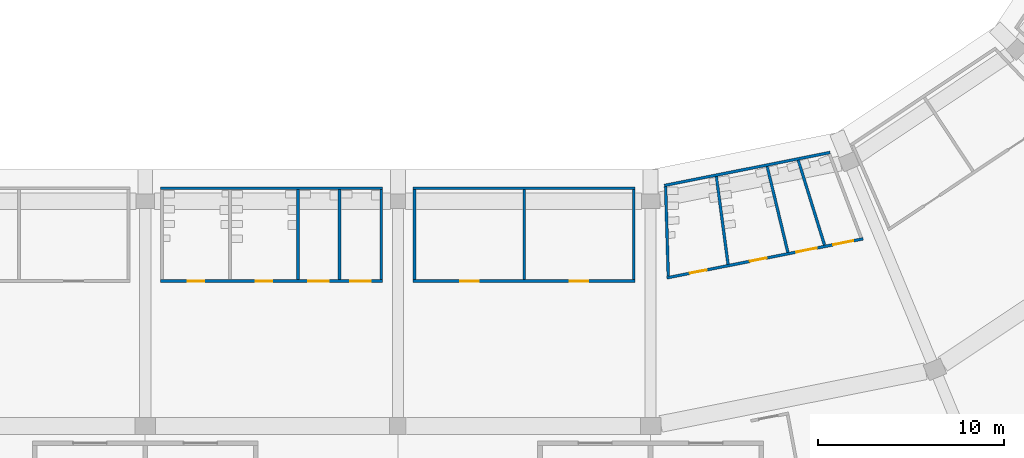
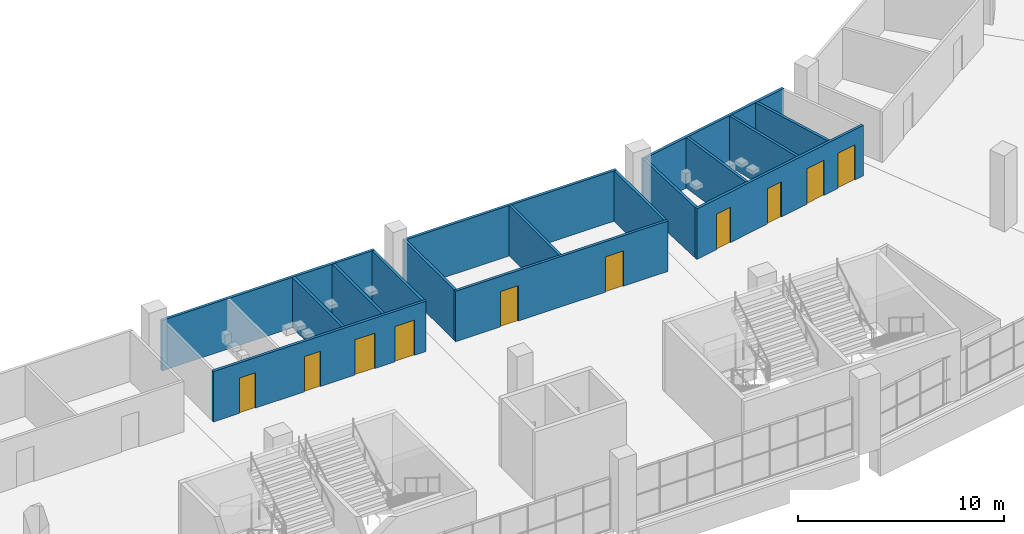
# One storey, part 78 of 199: 16 walls, 10 doors, 10 openings.
"""IFC4 building model written with IfcOpenShell, lengths in metres."""

from ifc_helpers import new_model, si_unit, direction, frame, frame_2d, origin, place, context, subcontext, project, spatial, rectangle, extrude, material, layer, layer_set, type_object, element, fill, save


model = new_model("IFC4")

# Units and contexts
model_context = context("Model", 3, precision=1e-05, world=origin(), true_north=direction((0.0, 1.0)))
body_context = subcontext(model_context, "Body", "Model", "MODEL_VIEW")
ifc_project = project(units=[si_unit("LENGTHUNIT", "METRE"), si_unit("AREAUNIT", "SQUARE_METRE"), si_unit("VOLUMEUNIT", "CUBIC_METRE"), si_unit("PLANEANGLEUNIT", "RADIAN"), si_unit("MASSUNIT", "GRAM", prefix="KILO")], contexts=[model_context])

# Site, building, storey
site_placement = place(None, origin())
site = spatial("IfcSite", under=ifc_project, at=site_placement, CompositionType="ELEMENT")
building_placement = place(site_placement, origin())
building = spatial("IfcBuilding", under=site, at=building_placement, Name="Ogive Plaza Stadium", CompositionType="ELEMENT")
storey_placement = place(building_placement, frame((0.0, 0.0, 4.5)))
storey = spatial("IfcBuildingStorey", under=building, at=storey_placement, Name="L01", CompositionType="ELEMENT", Elevation=4.5)

# Wall
ifc_material_1 = material(Name="Masonry blockwork", Category="masonry")
ifc_layer_1 = layer(ifc_material_1, 0.14990234375)
ifc_layer_set_1 = layer_set([ifc_layer_1], Name="Blockwork wall 150")
wall_type_1 = type_object("IfcWallType", Name="Blockwork wall 150", PredefinedType="SOLIDWALL", material=ifc_layer_set_1)
wall_1_placement = place(storey_placement, frame((33.175048828125, -79.699951171875, 0.0), z_axis=(0.0, 0.0, 1.0), x_axis=(-1.0, 0.0, 0.0)))
element("IfcWall", 1, at=wall_1_placement, inside=storey, type_object=wall_type_1, Name="Wall L01 B12", PredefinedType="SOLIDWALL", context=body_context, shape_type="SweptSolid", body=[
    extrude(rectangle(XDim=11.949951171875, YDim=0.14990234375, at=frame_2d((5.97509765625, 0.0))), origin(), (0.0, 0.0, 1.0), 3.0),
])

# Wall, openings, doors
wall_2_placement = place(storey_placement, frame((33.175048828125, -84.699951171875, 0.0), z_axis=(0.0, 0.0, 1.0), x_axis=(-1.0, 0.0, 0.0)))
wall_2 = element("IfcWall", 2, at=wall_2_placement, inside=storey, type_object=wall_type_1, Name="Wall L01 B12", PredefinedType="SOLIDWALL", context=body_context, shape_type="SweptSolid", body=[
    extrude(rectangle(XDim=11.949951171875, YDim=0.14990234375, at=frame_2d((5.97509765625, 0.0))), origin(), (0.0, 0.0, 1.0), 3.0),
])
opening_1_placement = place(wall_2_placement, frame((2.52490234375, 0.0, 0.0)))
opening_1 = element("IfcOpeningElement", 3, at=opening_1_placement, cuts=wall_2, Name="Opening D0507", PredefinedType="OPENING", context=body_context, shape_type="SweptSolid", body=[
    extrude(rectangle(XDim=1.0, YDim=2.10009765625, at=frame_2d((0.5, 1.050048828125))), frame((0.0, 0.074951171875, 0.0), z_axis=(0.0, -1.0, 0.0), x_axis=(1.0, 0.0, 0.0)), (0.0, 0.0, 1.0), 0.14990234375),
])
opening_2_placement = place(wall_2_placement, frame((8.425048828125, 0.0, 0.0)))
opening_2 = element("IfcOpeningElement", 4, at=opening_2_placement, cuts=wall_2, Name="Opening D0508", PredefinedType="OPENING", context=body_context, shape_type="SweptSolid", body=[
    extrude(rectangle(XDim=1.0, YDim=2.10009765625, at=frame_2d((0.5, 1.050048828125))), frame((0.0, 0.074951171875, 0.0), z_axis=(0.0, -1.0, 0.0), x_axis=(1.0, 0.0, 0.0)), (0.0, 0.0, 1.0), 0.14990234375),
])
ifc_material_2 = material(Name="Steel ASTM A572 Grade 50", Category="steel")
door_type_1 = type_object("IfcDoorType", Name="Door 1000 x 2100", OperationType="SINGLE_SWING_LEFT", PredefinedType="DOOR", material=ifc_material_2)
door_1_placement = place(opening_1_placement, origin())
door_1 = element("IfcDoor", 5, at=door_1_placement, inside=storey, type_object=door_type_1, Name="Club Bar B12 door", OperationType="SINGLE_SWING_RIGHT", OverallHeight=2.10009765625, OverallWidth=1.0, PredefinedType="DOOR", context=body_context, shape_type="SweptSolid", body=[
    extrude(rectangle(XDim=1.0, YDim=2.10009765625, at=frame_2d((0.5, 1.050048828125))), frame((0.0, 0.02490234375, 0.0), z_axis=(0.0, -1.0, 0.0), x_axis=(1.0, 0.0, 0.0)), (0.0, 0.0, 1.0), 0.050048828125),
])
fill(opening_1, door_1)
ifc_material_3 = material(Name="Steel ASTM A572 Grade 50", Category="steel")
door_type_2 = type_object("IfcDoorType", Name="Fire door FD60 1000 x 2100", OperationType="SINGLE_SWING_LEFT", PredefinedType="DOOR", material=ifc_material_3)
door_2_placement = place(opening_2_placement, origin())
door_2 = element("IfcDoor", 6, at=door_2_placement, inside=storey, type_object=door_type_2, Name="Club Kitchen B12 door", OperationType="SINGLE_SWING_LEFT", OverallHeight=2.10009765625, OverallWidth=1.0, PredefinedType="DOOR", context=body_context, shape_type="SweptSolid", body=[
    extrude(rectangle(XDim=1.0, YDim=2.10009765625, at=frame_2d((0.5, 1.050048828125))), frame((0.0, 0.02490234375, 0.0), z_axis=(0.0, -1.0, 0.0), x_axis=(1.0, 0.0, 0.0)), (0.0, 0.0, 1.0), 0.050048828125),
])
fill(opening_2, door_2)

# Walls
for number, where, z_axis, x_axis, name in (
    (7, (33.10009765625, -79.77490234375, 0.0), (0.0, 0.0, 1.0), (0.0, -1.0, 0.0), "Wall L01 B12"),
    (8, (27.199951171875, -79.77490234375, 0.0), (0.0, 0.0, 1.0), (0.0, -1.0, 0.0), "Wall L01 B12"),
    (9, (21.300048828125, -79.77490234375, 0.0), (0.0, 0.0, 1.0), (0.0, -1.0, 0.0), "Wall L01 B12"),
):
    element("IfcWall", number, at=place(storey_placement, frame(where, z_axis=z_axis, x_axis=x_axis)), inside=storey, type_object=wall_type_1, Name=name, PredefinedType="SOLIDWALL", context=body_context, shape_type="SweptSolid", body=[
        extrude(rectangle(XDim=4.85009765625, YDim=0.14990234375, at=frame_2d((2.425048828125, 0.0))), origin(), (0.0, 0.0, 1.0), 3.0),
    ])
ifc_material_4 = material(Name="Gypsum board partition", Category="gypsum")
ifc_layer_2 = layer(ifc_material_4, 0.14990234375)
ifc_layer_set_2 = layer_set([ifc_layer_2], Name="Partition 150")
wall_type_2 = type_object("IfcWallType", Name="Partition 150", PredefinedType="PARTITIONING", material=ifc_layer_set_2)
wall_3_placement = place(storey_placement, frame((34.740966796875, -79.552490234375, 0.0), z_axis=(0.0, 0.0, 1.0), x_axis=(0.980786464492, 0.195084369103, 0.0)))
element("IfcWall", 10, at=wall_3_placement, inside=storey, type_object=wall_type_2, Name="Wall L01 B11", PredefinedType="PARTITIONING", context=body_context, shape_type="SweptSolid", body=[
    extrude(rectangle(XDim=9.101806640625, YDim=0.14990234375, at=frame_2d((4.55078125, 0.0))), origin(), (0.0, 0.0, 1.0), 3.0),
])

# Wall, openings, doors
wall_4_placement = place(storey_placement, frame((34.877197265625, -84.525390625, 0.0), z_axis=(0.0, 0.0, 1.0), x_axis=(0.98078580384, 0.195087690502, 0.0)))
wall_4 = element("IfcWall", 11, at=wall_4_placement, inside=storey, type_object=wall_type_2, Name="Wall L01 B11", PredefinedType="PARTITIONING", context=body_context, shape_type="SweptSolid", body=[
    extrude(rectangle(XDim=10.77490234375, YDim=0.14990234375, at=frame_2d((5.387451171875, 0.0))), origin(), (0.0, 0.0, 1.0), 3.0),
])
opening_3_placement = place(wall_4_placement, frame((1.276123046875, 0.0, 0.0)))
opening_3 = element("IfcOpeningElement", 12, at=opening_3_placement, cuts=wall_4, Name="Opening D0502", PredefinedType="OPENING", context=body_context, shape_type="SweptSolid", body=[
    extrude(rectangle(XDim=0.89990234375, YDim=2.10009765625, at=frame_2d((0.449951171875, 1.050048828125))), frame((0.0, 0.074951171875, 0.0), z_axis=(0.0, -1.0, 0.0), x_axis=(1.0, 0.0, 0.0)), (0.0, 0.0, 1.0), 0.14990234375),
])
opening_4_placement = place(wall_4_placement, frame((4.56591796875, 0.0, 0.0)))
opening_4 = element("IfcOpeningElement", 13, at=opening_4_placement, cuts=wall_4, Name="Opening D0503", PredefinedType="OPENING", context=body_context, shape_type="SweptSolid", body=[
    extrude(rectangle(XDim=0.89990234375, YDim=2.10009765625, at=frame_2d((0.449951171875, 1.050048828125))), frame((0.0, 0.074951171875, 0.0), z_axis=(0.0, -1.0, 0.0), x_axis=(1.0, 0.0, 0.0)), (0.0, 0.0, 1.0), 0.14990234375),
])
opening_5_placement = place(wall_4_placement, frame((7.119140625, 0.0, 0.0)))
opening_5 = element("IfcOpeningElement", 14, at=opening_5_placement, cuts=wall_4, Name="Opening D0504", PredefinedType="OPENING", context=body_context, shape_type="SweptSolid", body=[
    extrude(rectangle(XDim=1.10009765625, YDim=2.10009765625, at=frame_2d((0.550048828125, 1.050048828125))), frame((0.0, 0.074951171875, 0.0), z_axis=(0.0, -1.0, 0.0), x_axis=(1.0, 0.0, 0.0)), (0.0, 0.0, 1.0), 0.14990234375),
])
opening_6_placement = place(wall_4_placement, frame((9.135498046875, 0.0, 0.0)))
opening_6 = element("IfcOpeningElement", 15, at=opening_6_placement, cuts=wall_4, Name="Opening D0505", PredefinedType="OPENING", context=body_context, shape_type="SweptSolid", body=[
    extrude(rectangle(XDim=1.10009765625, YDim=2.10009765625, at=frame_2d((0.550048828125, 1.050048828125))), frame((0.0, 0.074951171875, 0.0), z_axis=(0.0, -1.0, 0.0), x_axis=(1.0, 0.0, 0.0)), (0.0, 0.0, 1.0), 0.14990234375),
])
ifc_material_5 = material(Name="Steel ASTM A572 Grade 50", Category="steel")
door_type_3 = type_object("IfcDoorType", Name="Accessible door 1100 x 2100", OperationType="SINGLE_SWING_LEFT", PredefinedType="DOOR", material=ifc_material_5)
door_3_placement = place(opening_5_placement, origin())
door_3 = element("IfcDoor", 16, at=door_3_placement, inside=storey, type_object=door_type_3, Name="Accessible WC B11 door", OperationType="SINGLE_SWING_LEFT", OverallHeight=2.10009765625, OverallWidth=1.10009765625, PredefinedType="DOOR", context=body_context, shape_type="SweptSolid", body=[
    extrude(rectangle(XDim=1.10009765625, YDim=2.10009765625, at=frame_2d((0.550048828125, 1.050048828125))), frame((0.0, 0.02490234375, 0.0), z_axis=(0.0, -1.0, 0.0), x_axis=(1.0, 0.0, 0.0)), (0.0, 0.0, 1.0), 0.050048828125),
])
fill(opening_5, door_3)
door_4_placement = place(opening_6_placement, origin())
door_4 = element("IfcDoor", 17, at=door_4_placement, inside=storey, type_object=door_type_3, Name="Family WC B11 door", OperationType="SINGLE_SWING_LEFT", OverallHeight=2.10009765625, OverallWidth=1.10009765625, PredefinedType="DOOR", context=body_context, shape_type="SweptSolid", body=[
    extrude(rectangle(XDim=1.10009765625, YDim=2.10009765625, at=frame_2d((0.550048828125, 1.050048828125))), frame((0.0, 0.02490234375, 0.0), z_axis=(0.0, -1.0, 0.0), x_axis=(1.0, 0.0, 0.0)), (0.0, 0.0, 1.0), 0.050048828125),
])
fill(opening_6, door_4)
ifc_material_6 = material(Name="Steel ASTM A572 Grade 50", Category="steel")
door_type_4 = type_object("IfcDoorType", Name="Door 900 x 2100", OperationType="SINGLE_SWING_LEFT", PredefinedType="DOOR", material=ifc_material_6)
door_5_placement = place(opening_3_placement, origin())
door_5 = element("IfcDoor", 18, at=door_5_placement, inside=storey, type_object=door_type_4, Name="Men's Toilet B11 door", OperationType="SINGLE_SWING_RIGHT", OverallHeight=2.10009765625, OverallWidth=0.89990234375, PredefinedType="DOOR", context=body_context, shape_type="SweptSolid", body=[
    extrude(rectangle(XDim=0.89990234375, YDim=2.10009765625, at=frame_2d((0.449951171875, 1.050048828125))), frame((0.0, 0.02490234375, 0.0), z_axis=(0.0, -1.0, 0.0), x_axis=(1.0, 0.0, 0.0)), (0.0, 0.0, 1.0), 0.050048828125),
])
fill(opening_3, door_5)
door_6_placement = place(opening_4_placement, origin())
door_6 = element("IfcDoor", 19, at=door_6_placement, inside=storey, type_object=door_type_4, Name="Women's Toilet B11 door", OperationType="SINGLE_SWING_LEFT", OverallHeight=2.10009765625, OverallWidth=0.89990234375, PredefinedType="DOOR", context=body_context, shape_type="SweptSolid", body=[
    extrude(rectangle(XDim=0.89990234375, YDim=2.10009765625, at=frame_2d((0.449951171875, 1.050048828125))), frame((0.0, 0.02490234375, 0.0), z_axis=(0.0, -1.0, 0.0), x_axis=(1.0, 0.0, 0.0)), (0.0, 0.0, 1.0), 0.050048828125),
])
fill(opening_4, door_6)

# Walls
wall_5_placement = place(storey_placement, frame((34.810546875, -79.61376953125, 0.0), z_axis=(0.0, 0.0, 1.0), x_axis=(0.02991368842, -0.999552485488, 0.0)))
element("IfcWall", 20, at=wall_5_placement, inside=storey, type_object=wall_type_2, Name="Wall L01 B11", PredefinedType="PARTITIONING", context=body_context, shape_type="SweptSolid", body=[
    extrude(rectangle(XDim=4.823486328125, YDim=0.14990234375, at=frame_2d((2.41162109375, 0.0))), origin(), (0.0, 0.0, 1.0), 3.0),
])
wall_6_placement = place(storey_placement, frame((37.543701171875, -79.070068359375, 0.0), z_axis=(0.0, 0.0, 1.0), x_axis=(0.132200625744, -0.99122297923, 0.0)))
element("IfcWall", 21, at=wall_6_placement, inside=storey, type_object=wall_type_2, Name="Wall L01 B11", PredefinedType="PARTITIONING", context=body_context, shape_type="SweptSolid", body=[
    extrude(rectangle(XDim=4.766357421875, YDim=0.14990234375, at=frame_2d((2.38330078125, 0.0))), origin(), (0.0, 0.0, 1.0), 3.0),
])
wall_7_placement = place(storey_placement, frame((40.27685546875, -78.5263671875, 0.0), z_axis=(0.0, 0.0, 1.0), x_axis=(0.234455054274, -0.9721269606, 0.0)))
element("IfcWall", 22, at=wall_7_placement, inside=storey, type_object=wall_type_2, Name="Wall L01 B11", PredefinedType="PARTITIONING", context=body_context, shape_type="SweptSolid", body=[
    extrude(rectangle(XDim=4.760986328125, YDim=0.14990234375, at=frame_2d((2.38037109375, 0.0))), origin(), (0.0, 0.0, 1.0), 3.0),
])
wall_8_placement = place(storey_placement, frame((41.951904296875, -78.193359375, 0.0), z_axis=(0.0, 0.0, 1.0), x_axis=(0.295678182088, -0.955287607288, 0.0)))
element("IfcWall", 23, at=wall_8_placement, inside=storey, type_object=wall_type_2, Name="Wall L01 B11", PredefinedType="PARTITIONING", context=body_context, shape_type="SweptSolid", body=[
    extrude(rectangle(XDim=4.782470703125, YDim=0.14990234375, at=frame_2d((2.39111328125, 0.0))), origin(), (0.0, 0.0, 1.0), 3.0),
])
wall_9_placement = place(storey_placement, frame((7.625, -79.699951171875, 0.0), z_axis=(0.0, 0.0, 1.0), x_axis=(1.0, 0.0, 0.0)))
element("IfcWall", 24, at=wall_9_placement, inside=storey, type_object=wall_type_2, Name="Wall L01 B13", PredefinedType="PARTITIONING", context=body_context, shape_type="SweptSolid", body=[
    extrude(rectangle(XDim=11.949951171875, YDim=0.14990234375, at=frame_2d((5.97509765625, 0.0))), origin(), (0.0, 0.0, 1.0), 3.0),
])

# Wall, openings, doors
wall_10_placement = place(storey_placement, frame((7.625, -84.699951171875, 0.0), z_axis=(0.0, 0.0, 1.0), x_axis=(1.0, 0.0, 0.0)))
wall_10 = element("IfcWall", 25, at=wall_10_placement, inside=storey, type_object=wall_type_2, Name="Wall L01 B13", PredefinedType="PARTITIONING", context=body_context, shape_type="SweptSolid", body=[
    extrude(rectangle(XDim=11.949951171875, YDim=0.14990234375, at=frame_2d((5.97509765625, 0.0))), origin(), (0.0, 0.0, 1.0), 3.0),
])
opening_7_placement = place(wall_10_placement, frame((1.4541015625, 0.0, 0.0)))
opening_7 = element("IfcOpeningElement", 26, at=opening_7_placement, cuts=wall_10, Name="Opening D0509", PredefinedType="OPENING", context=body_context, shape_type="SweptSolid", body=[
    extrude(rectangle(XDim=0.89990234375, YDim=2.10009765625, at=frame_2d((0.449951171875, 1.050048828125))), frame((0.0, 0.074951171875, 0.0), z_axis=(0.0, -1.0, 0.0), x_axis=(1.0, 0.0, 0.0)), (0.0, 0.0, 1.0), 0.14990234375),
])
opening_8_placement = place(wall_10_placement, frame((5.112060546875, 0.0, 0.0)))
opening_8 = element("IfcOpeningElement", 27, at=opening_8_placement, cuts=wall_10, Name="Opening D0510", PredefinedType="OPENING", context=body_context, shape_type="SweptSolid", body=[
    extrude(rectangle(XDim=0.89990234375, YDim=2.10009765625, at=frame_2d((0.449951171875, 1.050048828125))), frame((0.0, 0.074951171875, 0.0), z_axis=(0.0, -1.0, 0.0), x_axis=(1.0, 0.0, 0.0)), (0.0, 0.0, 1.0), 0.14990234375),
])
opening_9_placement = place(wall_10_placement, frame((7.9619140625, 0.0, 0.0)))
opening_9 = element("IfcOpeningElement", 28, at=opening_9_placement, cuts=wall_10, Name="Opening D0511", PredefinedType="OPENING", context=body_context, shape_type="SweptSolid", body=[
    extrude(rectangle(XDim=1.10009765625, YDim=2.10009765625, at=frame_2d((0.550048828125, 1.050048828125))), frame((0.0, 0.074951171875, 0.0), z_axis=(0.0, -1.0, 0.0), x_axis=(1.0, 0.0, 0.0)), (0.0, 0.0, 1.0), 0.14990234375),
])
opening_10_placement = place(wall_10_placement, frame((10.2041015625, 0.0, 0.0)))
opening_10 = element("IfcOpeningElement", 29, at=opening_10_placement, cuts=wall_10, Name="Opening D0512", PredefinedType="OPENING", context=body_context, shape_type="SweptSolid", body=[
    extrude(rectangle(XDim=1.10009765625, YDim=2.10009765625, at=frame_2d((0.550048828125, 1.050048828125))), frame((0.0, 0.074951171875, 0.0), z_axis=(0.0, -1.0, 0.0), x_axis=(1.0, 0.0, 0.0)), (0.0, 0.0, 1.0), 0.14990234375),
])
door_7_placement = place(opening_9_placement, origin())
door_7 = element("IfcDoor", 30, at=door_7_placement, inside=storey, type_object=door_type_3, Name="Accessible WC B13 door", OperationType="SINGLE_SWING_LEFT", OverallHeight=2.10009765625, OverallWidth=1.10009765625, PredefinedType="DOOR", context=body_context, shape_type="SweptSolid", body=[
    extrude(rectangle(XDim=1.10009765625, YDim=2.10009765625, at=frame_2d((0.550048828125, 1.050048828125))), frame((0.0, 0.02490234375, 0.0), z_axis=(0.0, -1.0, 0.0), x_axis=(1.0, 0.0, 0.0)), (0.0, 0.0, 1.0), 0.050048828125),
])
fill(opening_9, door_7)
door_8_placement = place(opening_10_placement, origin())
door_8 = element("IfcDoor", 31, at=door_8_placement, inside=storey, type_object=door_type_3, Name="Family WC B13 door", OperationType="SINGLE_SWING_RIGHT", OverallHeight=2.10009765625, OverallWidth=1.10009765625, PredefinedType="DOOR", context=body_context, shape_type="SweptSolid", body=[
    extrude(rectangle(XDim=1.10009765625, YDim=2.10009765625, at=frame_2d((0.550048828125, 1.050048828125))), frame((0.0, 0.02490234375, 0.0), z_axis=(0.0, -1.0, 0.0), x_axis=(1.0, 0.0, 0.0)), (0.0, 0.0, 1.0), 0.050048828125),
])
fill(opening_10, door_8)
door_9_placement = place(opening_7_placement, origin())
door_9 = element("IfcDoor", 32, at=door_9_placement, inside=storey, type_object=door_type_4, Name="Men's Toilet B13 door", OperationType="SINGLE_SWING_LEFT", OverallHeight=2.10009765625, OverallWidth=0.89990234375, PredefinedType="DOOR", context=body_context, shape_type="SweptSolid", body=[
    extrude(rectangle(XDim=0.89990234375, YDim=2.10009765625, at=frame_2d((0.449951171875, 1.050048828125))), frame((0.0, 0.02490234375, 0.0), z_axis=(0.0, -1.0, 0.0), x_axis=(1.0, 0.0, 0.0)), (0.0, 0.0, 1.0), 0.050048828125),
])
fill(opening_7, door_9)
door_10_placement = place(opening_8_placement, origin())
door_10 = element("IfcDoor", 33, at=door_10_placement, inside=storey, type_object=door_type_4, Name="Women's Toilet B13 door", OperationType="SINGLE_SWING_RIGHT", OverallHeight=2.10009765625, OverallWidth=0.89990234375, PredefinedType="DOOR", context=body_context, shape_type="SweptSolid", body=[
    extrude(rectangle(XDim=0.89990234375, YDim=2.10009765625, at=frame_2d((0.449951171875, 1.050048828125))), frame((0.0, 0.02490234375, 0.0), z_axis=(0.0, -1.0, 0.0), x_axis=(1.0, 0.0, 0.0)), (0.0, 0.0, 1.0), 0.050048828125),
])
fill(opening_8, door_10)

# Walls
for number, where, z_axis, x_axis, name in (
    (34, (15.01611328125, -79.77490234375, 0.0), (0.0, 0.0, 1.0), (0.0, -1.0, 0.0), "Wall L01 B13"),
    (35, (17.258056640625, -79.77490234375, 0.0), (0.0, 0.0, 1.0), (0.0, -1.0, 0.0), "Wall L01 B13"),
    (36, (19.5, -79.77490234375, 0.0), (0.0, 0.0, 1.0), (0.0, -1.0, 0.0), "Wall L01 B13"),
):
    element("IfcWall", number, at=place(storey_placement, frame(where, z_axis=z_axis, x_axis=x_axis)), inside=storey, type_object=wall_type_2, Name=name, PredefinedType="PARTITIONING", context=body_context, shape_type="SweptSolid", body=[
        extrude(rectangle(XDim=4.85009765625, YDim=0.14990234375, at=frame_2d((2.425048828125, 0.0))), origin(), (0.0, 0.0, 1.0), 3.0),
    ])

save(model, "model.ifc")
